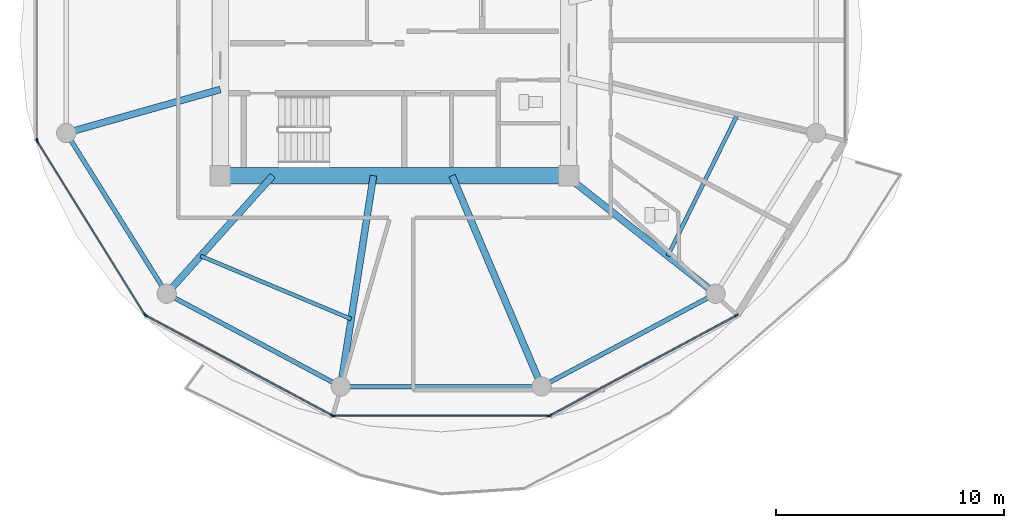
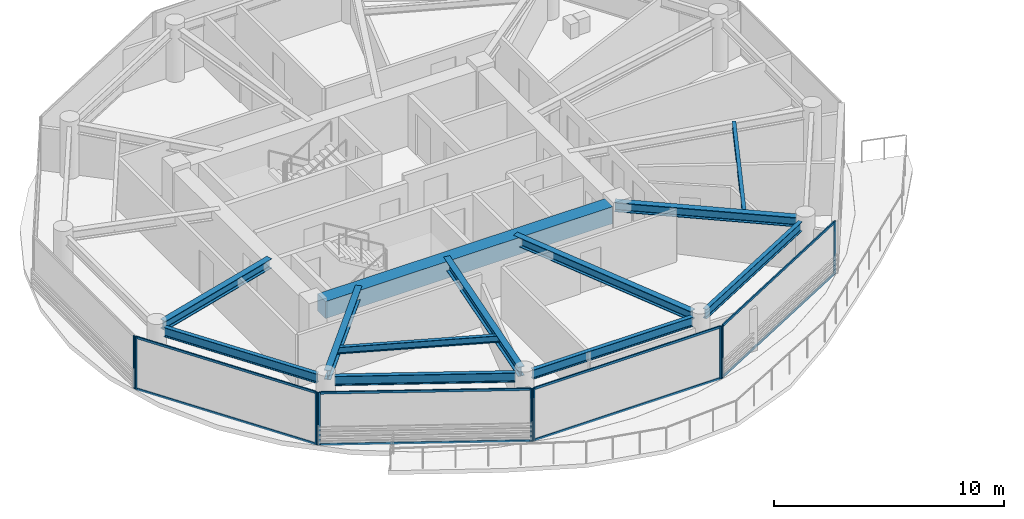
# One storey, part 2 of 24: 17 members, 12 beams, 5 elements without a shape of their own.
"""IFC4 building model written with IfcOpenShell, lengths in metres."""

from ifc_helpers import new_model, si_unit, direction, frame, origin, origin_2d, place, context, subcontext, project, spatial, rectangle, i_section, extrude, source, transform, mapped, material, layer, layer_set, material_profile, profile_set, type_object, type_shapes, element, aggregate, save


model = new_model("IFC4")

# Units and contexts
model_context = context("Model", 3, precision=1e-05, world=origin(), true_north=direction((0.0, 1.0)))
body_context = subcontext(model_context, "Body", "Model", "MODEL_VIEW")
ifc_project = project(units=[si_unit("LENGTHUNIT", "METRE"), si_unit("AREAUNIT", "SQUARE_METRE"), si_unit("VOLUMEUNIT", "CUBIC_METRE"), si_unit("PLANEANGLEUNIT", "RADIAN"), si_unit("MASSUNIT", "GRAM", prefix="KILO")], contexts=[model_context])

# Site, building, storey
site_placement = place(None, origin())
site = spatial("IfcSite", under=ifc_project, at=site_placement, CompositionType="ELEMENT")
building_placement = place(site_placement, origin())
building = spatial("IfcBuilding", under=site, at=building_placement, Name="Norrkilde Senior Care Towers", CompositionType="ELEMENT")
storey_placement = place(building_placement, frame((0.0, 0.0, 114.550048828125)))
storey = spatial("IfcBuildingStorey", under=building, at=storey_placement, Name="L35", CompositionType="ELEMENT", Elevation=114.550048828125)

# Beams
ifc_material_1 = material(Name="Concrete C60/75", Category="concrete")
ifc_material_profile_1 = material_profile(ifc_material_1, rectangle(XDim=0.699951171875, YDim=0.89990234375, at=origin_2d()), Name="RC BM 700x900")
ifc_profile_set_1 = profile_set([ifc_material_profile_1], Name="Concrete C60/75")
beam_type_1 = type_object("IfcBeamType", Name="Core Coupling Girder 700x900", PredefinedType="USERDEFINED", material=ifc_profile_set_1)
shared_shape_1 = source(origin(), body_context, "Body", "SweptSolid", [
    extrude(rectangle(XDim=0.699951171875, YDim=0.89990234375, at=origin_2d()), origin(), (0.0, 0.0, 1.0), 14.43994140625),
])
type_shapes(beam_type_1, [shared_shape_1])
beam_1_placement = place(storey_placement, frame((-35.219970703125, -5.949951171875, 2.33984375), z_axis=(1.0, 0.0, 0.0), x_axis=(0.0, 1.0, 0.0)))
element("IfcBeam", 1, at=beam_1_placement, inside=storey, type_object=beam_type_1, Name="L35 Core W S Coupling Girder", ObjectType="GIRDER", PredefinedType="USERDEFINED", context=body_context, shape_type="MappedRepresentation", body=[
    mapped(shared_shape_1, transform((0.0, 0.0, 0.0), x_axis=(1.0, 0.0, 0.0), y_axis=(0.0, 1.0, 0.0), z_axis=(0.0, 0.0, 1.0), scale=1.0)),
])
ifc_material_2 = material(Name="Steel S355", Category="steel")
ifc_material_profile_2 = material_profile(ifc_material_2, i_section(OverallWidth=0.199951171875, OverallDepth=0.5, WebThickness=0.01025390625, FlangeThickness=0.01611328125, FilletRadius=0.02099609375, at=origin_2d()), Name="IPE 500")
ifc_profile_set_2 = profile_set([ifc_material_profile_2], Name="Steel S355")
beam_type_2 = type_object("IfcBeamType", Name="Perimeter Ring Spandrel Z2 IPE500", PredefinedType="SPANDREL", material=ifc_profile_set_2)
shared_shape_2 = source(origin(), body_context, "Body", "SweptSolid", [
    extrude(i_section(OverallWidth=0.199951171875, OverallDepth=0.5, WebThickness=0.01025390625, FlangeThickness=0.01611328125, FilletRadius=0.02099609375, at=origin_2d()), origin(), (0.0, 0.0, 1.0), 7.892333984375),
])
for number, where, z_axis, x_axis, name in (
    (2, (-37.66650390625, -11.318115234375, 2.5400390625), (0.882350372282, -0.47059305194, 0.0), (0.47059305194, 0.882350372282, 0.0), "L35 Drum W Perimeter Spandrel 08"),
    (3, (-21.197509765625, -15.0322265625, 2.5400390625), (0.882350372282, 0.47059305194, 0.0), (-0.47059305194, 0.882350372282, 0.0), "L35 Drum W Perimeter Spandrel 10"),
):
    element("IfcBeam", number, at=place(storey_placement, frame(where, z_axis=z_axis, x_axis=x_axis)), inside=storey, type_object=beam_type_2, Name=name, PredefinedType="SPANDREL", context=body_context, shape_type="MappedRepresentation", body=[
        mapped(shared_shape_2, transform((0.0, 0.0, 0.0), x_axis=(1.0, 0.0, 0.0), y_axis=(0.0, 1.0, 0.0), z_axis=(0.0, 0.0, 1.0), scale=1.0)),
    ])
ifc_material_profile_3 = material_profile(ifc_material_2, i_section(OverallWidth=0.300048828125, OverallDepth=0.5, WebThickness=0.014404296875, FlangeThickness=0.028076171875, FilletRadius=0.027099609375, at=origin_2d()), Name="HEB 500")
ifc_profile_set_3 = profile_set([ifc_material_profile_3], Name="Steel S355")
beam_type_3 = type_object("IfcBeamType", Name="Radial Floor Beam Z2 HEB500", PredefinedType="BEAM", material=ifc_profile_set_3)
shared_shape_3 = source(origin(), body_context, "Body", "SweptSolid", [
    extrude(i_section(OverallWidth=0.300048828125, OverallDepth=0.5, WebThickness=0.014404296875, FlangeThickness=0.028076171875, FilletRadius=0.027099609375, at=origin_2d()), origin(), (0.0, 0.0, 1.0), 7.985595703125),
])
beam_2_placement = place(storey_placement, frame((-20.463623046875, -5.949951171875, 2.5400390625), z_axis=(0.784858505144, -0.619675017169, 0.0), x_axis=(0.619675017169, 0.784858505144, 0.0)))
element("IfcBeam", 4, at=beam_2_placement, inside=storey, type_object=beam_type_3, Name="L35 Drum W Radial Floor Beam 11", PredefinedType="BEAM", context=body_context, shape_type="MappedRepresentation", body=[
    mapped(shared_shape_3, transform((0.0, 0.0, 0.0), x_axis=(1.0, 0.0, 0.0), y_axis=(0.0, 1.0, 0.0), z_axis=(0.0, 0.0, 1.0), scale=1.0)),
])
shared_shape_4 = source(origin(), body_context, "Body", "SweptSolid", [
    extrude(i_section(OverallWidth=0.199951171875, OverallDepth=0.5, WebThickness=0.01025390625, FlangeThickness=0.01611328125, FilletRadius=0.02099609375, at=origin_2d()), origin(), (0.0, 0.0, 1.0), 8.0556640625),
])
beam_3_placement = place(storey_placement, frame((-29.977783203125, -15.21337890625, 2.5400390625), z_axis=(1.0, 0.0, 0.0), x_axis=(0.0, 1.0, 0.0)))
element("IfcBeam", 5, at=beam_3_placement, inside=storey, type_object=beam_type_2, Name="L35 Drum W Perimeter Spandrel 09", PredefinedType="SPANDREL", context=body_context, shape_type="MappedRepresentation", body=[
    mapped(shared_shape_4, transform((0.0, 0.0, 0.0), x_axis=(1.0, 0.0, 0.0), y_axis=(0.0, 1.0, 0.0), z_axis=(0.0, 0.0, 1.0), scale=1.0)),
])
shared_shape_5 = source(origin(), body_context, "Body", "SweptSolid", [
    extrude(i_section(OverallWidth=0.300048828125, OverallDepth=0.5, WebThickness=0.014404296875, FlangeThickness=0.028076171875, FilletRadius=0.027099609375, at=origin_2d()), origin(), (0.0, 0.0, 1.0), 9.679443359375),
])
beam_4_placement = place(storey_placement, frame((-25.472412109375, -5.949951171875, 2.5400390625), z_axis=(0.390998033479, -0.920391513333, 0.0), x_axis=(0.920391513333, 0.390998033479, 0.0)))
element("IfcBeam", 6, at=beam_4_placement, inside=storey, type_object=beam_type_3, Name="L35 Drum W Radial Floor Beam 10", PredefinedType="BEAM", context=body_context, shape_type="MappedRepresentation", body=[
    mapped(shared_shape_5, transform((0.0, 0.0, 0.0), x_axis=(1.0, 0.0, 0.0), y_axis=(0.0, 1.0, 0.0), z_axis=(0.0, 0.0, 1.0), scale=1.0)),
])
shared_shape_6 = source(origin(), body_context, "Body", "SweptSolid", [
    extrude(i_section(OverallWidth=0.300048828125, OverallDepth=0.5, WebThickness=0.014404296875, FlangeThickness=0.028076171875, FilletRadius=0.027099609375, at=origin_2d()), origin(), (0.0, 0.0, 1.0), 8.989501953125),
])
beam_5_placement = place(storey_placement, frame((-28.924072265625, -5.949951171875, 2.5400390625), z_axis=(-0.153471298636, -0.988153105796, 0.0), x_axis=(0.988153105796, -0.153471298636, 0.0)))
element("IfcBeam", 7, at=beam_5_placement, inside=storey, type_object=beam_type_3, Name="L35 Drum W Radial Floor Beam 09", PredefinedType="BEAM", context=body_context, shape_type="MappedRepresentation", body=[
    mapped(shared_shape_6, transform((0.0, 0.0, 0.0), x_axis=(1.0, 0.0, 0.0), y_axis=(0.0, 1.0, 0.0), z_axis=(0.0, 0.0, 1.0), scale=1.0)),
])
shared_shape_7 = source(origin(), body_context, "Body", "SweptSolid", [
    extrude(i_section(OverallWidth=0.199951171875, OverallDepth=0.5, WebThickness=0.01025390625, FlangeThickness=0.01611328125, FilletRadius=0.02099609375, at=origin_2d()), origin(), (0.0, 0.0, 1.0), 7.556396484375),
])
type_shapes(beam_type_2, [shared_shape_2, shared_shape_4, shared_shape_7])
beam_6_placement = place(storey_placement, frame((-42.215087890625, -4.40283203125, 2.5400390625), z_axis=(0.530004748437, -0.847994673706, 0.0), x_axis=(0.847994673706, 0.530004748437, 0.0)))
element("IfcBeam", 8, at=beam_6_placement, inside=storey, type_object=beam_type_2, Name="L35 Drum W Perimeter Spandrel 07", PredefinedType="SPANDREL", context=body_context, shape_type="MappedRepresentation", body=[
    mapped(shared_shape_7, transform((0.0, 0.0, 0.0), x_axis=(1.0, 0.0, 0.0), y_axis=(0.0, 1.0, 0.0), z_axis=(0.0, 0.0, 1.0), scale=1.0)),
])
shared_shape_8 = source(origin(), body_context, "Body", "SweptSolid", [
    extrude(i_section(OverallWidth=0.300048828125, OverallDepth=0.5, WebThickness=0.014404296875, FlangeThickness=0.028076171875, FilletRadius=0.027099609375, at=origin_2d()), origin(), (0.0, 0.0, 1.0), 6.587890625),
])
beam_7_placement = place(storey_placement, frame((-33.345947265625, -5.949951171875, 2.5400390625), z_axis=(-0.668315438605, -0.743877997068, 0.0), x_axis=(0.743877997068, -0.668315438605, 0.0)))
element("IfcBeam", 9, at=beam_7_placement, inside=storey, type_object=beam_type_3, Name="L35 Drum W Radial Floor Beam 08", PredefinedType="BEAM", context=body_context, shape_type="MappedRepresentation", body=[
    mapped(shared_shape_8, transform((0.0, 0.0, 0.0), x_axis=(1.0, 0.0, 0.0), y_axis=(0.0, 1.0, 0.0), z_axis=(0.0, 0.0, 1.0), scale=1.0)),
])
shared_shape_9 = source(origin(), body_context, "Body", "SweptSolid", [
    extrude(i_section(OverallWidth=0.300048828125, OverallDepth=0.5, WebThickness=0.014404296875, FlangeThickness=0.028076171875, FilletRadius=0.027099609375, at=origin_2d()), origin(), (0.0, 0.0, 1.0), 6.6494140625),
])
type_shapes(beam_type_3, [shared_shape_3, shared_shape_5, shared_shape_6, shared_shape_8, shared_shape_9])
beam_8_placement = place(storey_placement, frame((-35.64990234375, -2.162841796875, 2.5400390625), z_axis=(-0.962289138357, -0.27202870106, 0.0), x_axis=(0.27202870106, -0.962289138357, 0.0)))
element("IfcBeam", 10, at=beam_8_placement, inside=storey, type_object=beam_type_3, Name="L35 Drum W Radial Floor Beam 07", PredefinedType="BEAM", context=body_context, shape_type="MappedRepresentation", body=[
    mapped(shared_shape_9, transform((0.0, 0.0, 0.0), x_axis=(1.0, 0.0, 0.0), y_axis=(0.0, 1.0, 0.0), z_axis=(0.0, 0.0, 1.0), scale=1.0)),
])
ifc_material_profile_4 = material_profile(ifc_material_2, i_section(OverallWidth=0.169921875, OverallDepth=0.360107421875, WebThickness=0.008056640625, FlangeThickness=0.0126953125, FilletRadius=0.01806640625, at=origin_2d()), Name="IPE 360")
ifc_profile_set_4 = profile_set([ifc_material_profile_4], Name="Steel S355")
beam_type_4 = type_object("IfcBeamType", Name="Secondary Floor Joist IPE360", PredefinedType="JOIST", material=ifc_profile_set_4)
shared_shape_10 = source(origin(), body_context, "Body", "SweptSolid", [
    extrude(i_section(OverallWidth=0.169921875, OverallDepth=0.360107421875, WebThickness=0.008056640625, FlangeThickness=0.0126953125, FilletRadius=0.01806640625, at=origin_2d()), origin(), (0.0, 0.0, 1.0), 7.169921875),
])
beam_9_placement = place(storey_placement, frame((-36.514892578125, -9.47705078125, 2.60986328125), z_axis=(0.922240600393, -0.386616444279, 0.0), x_axis=(0.386616444279, 0.922240600393, 0.0)))
element("IfcBeam", 11, at=beam_9_placement, inside=storey, type_object=beam_type_4, Name="L35 Drum W Secondary Floor Joist 3", PredefinedType="JOIST", context=body_context, shape_type="MappedRepresentation", body=[
    mapped(shared_shape_10, transform((0.0, 0.0, 0.0), x_axis=(1.0, 0.0, 0.0), y_axis=(0.0, 1.0, 0.0), z_axis=(0.0, 0.0, 1.0), scale=1.0)),
])
shared_shape_11 = source(origin(), body_context, "Body", "SweptSolid", [
    extrude(i_section(OverallWidth=0.169921875, OverallDepth=0.360107421875, WebThickness=0.008056640625, FlangeThickness=0.0126953125, FilletRadius=0.01806640625, at=origin_2d()), origin(), (0.0, 0.0, 1.0), 6.87353515625),
])
type_shapes(beam_type_4, [shared_shape_10, shared_shape_11])
beam_10_placement = place(storey_placement, frame((-15.99609375, -9.47705078125, 2.60986328125), z_axis=(0.44184939592, 0.897089243791, 0.0), x_axis=(-0.897089243791, 0.44184939592, 0.0)))
element("IfcBeam", 12, at=beam_10_placement, inside=storey, type_object=beam_type_4, Name="L35 Drum W Secondary Floor Joist 4", PredefinedType="JOIST", context=body_context, shape_type="MappedRepresentation", body=[
    mapped(shared_shape_11, transform((0.0, 0.0, 0.0), x_axis=(1.0, 0.0, 0.0), y_axis=(0.0, 1.0, 0.0), z_axis=(0.0, 0.0, 1.0), scale=1.0)),
])

# Curtain wall, member
ifc_material_3 = material(Name="Triple Low-E Insulated Glazing", Category="glass")
ifc_layer = layer(ifc_material_3, 0.195068359375)
ifc_layer_set = layer_set([ifc_layer], Name="Triple Low-E Insulated Glazing")
curtain_wall_type = type_object("IfcCurtainWallType", Name="CW3 Zone 2 Assisted Living Curtain Wall", PredefinedType="NOTDEFINED", material=ifc_layer_set)
curtain_wall_1_placement = place(storey_placement, origin())
curtain_wall_1 = element("IfcCurtainWall", 13, at=curtain_wall_1_placement, inside=storey, type_object=curtain_wall_type, Name="L35 Drum W Curtain Wall 05", PredefinedType="NOTDEFINED")
ifc_material_4 = material(Name="Anodised Aluminium", Category="aluminium")
ifc_material_profile_5 = material_profile(ifc_material_4, rectangle(XDim=0.06494140625, YDim=0.159912109375, at=origin_2d()), Name="ALU MULL 65x160")
ifc_profile_set_5 = profile_set([ifc_material_profile_5], Name="Anodised Aluminium")
member_type_1 = type_object("IfcMemberType", Name="Curtain Wall Mullion Z1-Z2 65x160", PredefinedType="MULLION", material=ifc_profile_set_5)
shared_shape_12 = source(origin(), body_context, "Body", "SweptSolid", [
    extrude(rectangle(XDim=0.06494140625, YDim=0.159912109375, at=origin_2d()), origin(), (0.0, 0.0, 1.0), 2.7900390625),
])
type_shapes(member_type_1, [shared_shape_12])
member_1_placement = place(storey_placement, frame((-43.70361328125, -4.38818359375, 0.0), z_axis=(0.0, 0.0, 1.0), x_axis=(-1.0, 0.0, 0.0)))
member_1 = element("IfcMember", 14, at=member_1_placement, type_object=member_type_1, Name="CW-3 mullion 1", PredefinedType="MULLION", context=body_context, shape_type="MappedRepresentation", body=[
    mapped(shared_shape_12, transform((0.0, 0.0, 0.0), x_axis=(1.0, 0.0, 0.0), y_axis=(0.0, 1.0, 0.0), z_axis=(0.0, 0.0, 1.0), scale=1.0)),
])
aggregate(curtain_wall_1, [member_1])

# Curtain wall, members
curtain_wall_2_placement = place(storey_placement, origin())
curtain_wall_2 = element("IfcCurtainWall", 15, at=curtain_wall_2_placement, inside=storey, type_object=curtain_wall_type, Name="L35 Drum W Curtain Wall 06", PredefinedType="NOTDEFINED")
member_2_placement = place(storey_placement, frame((-38.9638671875, -12.0498046875, 0.0), z_axis=(0.0, 0.0, 1.0), x_axis=(-0.849410171862, -0.527733228002, 0.0)))
member_2 = element("IfcMember", 16, at=member_2_placement, type_object=member_type_1, Name="CW-3 mullion 1", PredefinedType="MULLION", context=body_context, shape_type="MappedRepresentation", body=[
    mapped(shared_shape_12, transform((0.0, 0.0, 0.0), x_axis=(1.0, 0.0, 0.0), y_axis=(0.0, 1.0, 0.0), z_axis=(0.0, 0.0, 1.0), scale=1.0)),
])
member_3_placement = place(storey_placement, frame((-43.6865234375, -4.4482421875, 0.0), z_axis=(0.0, 0.0, 1.0), x_axis=(-0.849410171862, -0.527733228002, 0.0)))
member_3 = element("IfcMember", 17, at=member_3_placement, type_object=member_type_1, Name="CW-3 mullion 2", PredefinedType="MULLION", context=body_context, shape_type="MappedRepresentation", body=[
    mapped(shared_shape_12, transform((0.0, 0.0, 0.0), x_axis=(1.0, 0.0, 0.0), y_axis=(0.0, 1.0, 0.0), z_axis=(0.0, 0.0, 1.0), scale=1.0)),
])

curtain_wall_3_placement = place(storey_placement, origin())
curtain_wall_3 = element("IfcCurtainWall", 18, at=curtain_wall_3_placement, inside=storey, type_object=curtain_wall_type, Name="L35 Drum W Curtain Wall 07", PredefinedType="NOTDEFINED")
member_4_placement = place(storey_placement, frame((-30.73583984375, -16.482666015625, 0.0), z_axis=(0.0, 0.0, 1.0), x_axis=(-0.472769402511, -0.881186184668, 0.0)))
member_4 = element("IfcMember", 19, at=member_4_placement, type_object=member_type_1, Name="CW-3 mullion 1", PredefinedType="MULLION", context=body_context, shape_type="MappedRepresentation", body=[
    mapped(shared_shape_12, transform((0.0, 0.0, 0.0), x_axis=(1.0, 0.0, 0.0), y_axis=(0.0, 1.0, 0.0), z_axis=(0.0, 0.0, 1.0), scale=1.0)),
])
member_5_placement = place(storey_placement, frame((-38.91796875, -12.0927734375, 0.0), z_axis=(0.0, 0.0, 1.0), x_axis=(-0.472769402511, -0.881186184668, 0.0)))
member_5 = element("IfcMember", 20, at=member_5_placement, type_object=member_type_1, Name="CW-3 mullion 2", PredefinedType="MULLION", context=body_context, shape_type="MappedRepresentation", body=[
    mapped(shared_shape_12, transform((0.0, 0.0, 0.0), x_axis=(1.0, 0.0, 0.0), y_axis=(0.0, 1.0, 0.0), z_axis=(0.0, 0.0, 1.0), scale=1.0)),
])

curtain_wall_4_placement = place(storey_placement, origin())
curtain_wall_4 = element("IfcCurtainWall", 21, at=curtain_wall_4_placement, inside=storey, type_object=curtain_wall_type, Name="L35 Drum W Curtain Wall 08", PredefinedType="NOTDEFINED")
member_6_placement = place(storey_placement, frame((-21.225341796875, -16.498046875, 0.0), z_axis=(0.0, 0.0, 1.0), x_axis=(0.0, -1.0, 0.0)))
member_6 = element("IfcMember", 22, at=member_6_placement, type_object=member_type_1, Name="CW-3 mullion 1", PredefinedType="MULLION", context=body_context, shape_type="MappedRepresentation", body=[
    mapped(shared_shape_12, transform((0.0, 0.0, 0.0), x_axis=(1.0, 0.0, 0.0), y_axis=(0.0, 1.0, 0.0), z_axis=(0.0, 0.0, 1.0), scale=1.0)),
])
member_7_placement = place(storey_placement, frame((-30.674560546875, -16.498046875, 0.0), z_axis=(0.0, 0.0, 1.0), x_axis=(0.0, -1.0, 0.0)))
member_7 = element("IfcMember", 23, at=member_7_placement, type_object=member_type_1, Name="CW-3 mullion 2", PredefinedType="MULLION", context=body_context, shape_type="MappedRepresentation", body=[
    mapped(shared_shape_12, transform((0.0, 0.0, 0.0), x_axis=(1.0, 0.0, 0.0), y_axis=(0.0, 1.0, 0.0), z_axis=(0.0, 0.0, 1.0), scale=1.0)),
])

curtain_wall_5_placement = place(storey_placement, origin())
curtain_wall_5 = element("IfcCurtainWall", 24, at=curtain_wall_5_placement, inside=storey, type_object=curtain_wall_type, Name="L35 Drum W Curtain Wall 09", PredefinedType="NOTDEFINED")
member_8_placement = place(storey_placement, frame((-12.98193359375, -12.0927734375, 0.0), z_axis=(0.0, 0.0, 1.0), x_axis=(0.472769402511, -0.881186184668, 0.0)))
member_8 = element("IfcMember", 25, at=member_8_placement, type_object=member_type_1, Name="CW-3 mullion 1", PredefinedType="MULLION", context=body_context, shape_type="MappedRepresentation", body=[
    mapped(shared_shape_12, transform((0.0, 0.0, 0.0), x_axis=(1.0, 0.0, 0.0), y_axis=(0.0, 1.0, 0.0), z_axis=(0.0, 0.0, 1.0), scale=1.0)),
])
member_9_placement = place(storey_placement, frame((-21.164306640625, -16.482666015625, 0.0), z_axis=(0.0, 0.0, 1.0), x_axis=(0.472769402511, -0.881186184668, 0.0)))
member_9 = element("IfcMember", 26, at=member_9_placement, type_object=member_type_1, Name="CW-3 mullion 2", PredefinedType="MULLION", context=body_context, shape_type="MappedRepresentation", body=[
    mapped(shared_shape_12, transform((0.0, 0.0, 0.0), x_axis=(1.0, 0.0, 0.0), y_axis=(0.0, 1.0, 0.0), z_axis=(0.0, 0.0, 1.0), scale=1.0)),
])

# Member
ifc_material_profile_6 = material_profile(ifc_material_4, rectangle(XDim=0.06005859375, YDim=0.1201171875, at=origin_2d()), Name="ALU TRAN 60x120")
ifc_profile_set_6 = profile_set([ifc_material_profile_6], Name="Anodised Aluminium")
member_type_2 = type_object("IfcMemberType", Name="Curtain Wall Transom Typical 60x120", PredefinedType="USERDEFINED", material=ifc_profile_set_6)
shared_shape_13 = source(origin(), body_context, "Body", "SweptSolid", [
    extrude(rectangle(XDim=0.06005859375, YDim=0.1201171875, at=origin_2d()), origin(), (0.0, 0.0, 1.0), 8.88427734375),
])
member_10_placement = place(storey_placement, frame((-38.98095703125, -12.022216796875, 0.030029296875), z_axis=(-0.527729466743, 0.849412508697, 0.0), x_axis=(-0.849412508697, -0.527729466743, 0.0)))
member_10 = element("IfcMember", 27, at=member_10_placement, type_object=member_type_2, Name="CW-3 transom 1.1", ObjectType="TRANSOM", PredefinedType="USERDEFINED", context=body_context, shape_type="MappedRepresentation", body=[
    mapped(shared_shape_13, transform((0.0, 0.0, 0.0), x_axis=(1.0, 0.0, 0.0), y_axis=(0.0, 1.0, 0.0), z_axis=(0.0, 0.0, 1.0), scale=1.0)),
])

member_11_placement = place(storey_placement, frame((-38.98095703125, -12.022216796875, 2.760009765625), z_axis=(-0.527729466743, 0.849412508697, 0.0), x_axis=(-0.849412508697, -0.527729466743, 0.0)))
member_11 = element("IfcMember", 28, at=member_11_placement, type_object=member_type_2, Name="CW-3 transom 1.2", ObjectType="TRANSOM", PredefinedType="USERDEFINED", context=body_context, shape_type="MappedRepresentation", body=[
    mapped(shared_shape_13, transform((0.0, 0.0, 0.0), x_axis=(1.0, 0.0, 0.0), y_axis=(0.0, 1.0, 0.0), z_axis=(0.0, 0.0, 1.0), scale=1.0)),
])

aggregate(curtain_wall_2, [member_2, member_3, member_10, member_11])

shared_shape_14 = source(origin(), body_context, "Body", "SweptSolid", [
    extrude(rectangle(XDim=0.06005859375, YDim=0.1201171875, at=origin_2d()), origin(), (0.0, 0.0, 1.0), 9.220458984375),
])
member_12_placement = place(storey_placement, frame((-30.764404296875, -16.46728515625, 0.030029296875), z_axis=(-0.881188517866, 0.472765053681, 0.0), x_axis=(-0.472765053681, -0.881188517866, 0.0)))
member_12 = element("IfcMember", 29, at=member_12_placement, type_object=member_type_2, Name="CW-3 transom 1.1", ObjectType="TRANSOM", PredefinedType="USERDEFINED", context=body_context, shape_type="MappedRepresentation", body=[
    mapped(shared_shape_14, transform((0.0, 0.0, 0.0), x_axis=(1.0, 0.0, 0.0), y_axis=(0.0, 1.0, 0.0), z_axis=(0.0, 0.0, 1.0), scale=1.0)),
])

member_13_placement = place(storey_placement, frame((-30.764404296875, -16.46728515625, 2.760009765625), z_axis=(-0.881188517866, 0.472765053681, 0.0), x_axis=(-0.472765053681, -0.881188517866, 0.0)))
member_13 = element("IfcMember", 30, at=member_13_placement, type_object=member_type_2, Name="CW-3 transom 1.2", ObjectType="TRANSOM", PredefinedType="USERDEFINED", context=body_context, shape_type="MappedRepresentation", body=[
    mapped(shared_shape_14, transform((0.0, 0.0, 0.0), x_axis=(1.0, 0.0, 0.0), y_axis=(0.0, 1.0, 0.0), z_axis=(0.0, 0.0, 1.0), scale=1.0)),
])

aggregate(curtain_wall_3, [member_4, member_5, member_12, member_13])

member_14_placement = place(storey_placement, frame((-13.0107421875, -12.108154296875, 0.030029296875), z_axis=(-0.881188517866, -0.472765053681, 0.0), x_axis=(0.472765053681, -0.881188517866, 0.0)))
member_14 = element("IfcMember", 31, at=member_14_placement, type_object=member_type_2, Name="CW-3 transom 1.1", ObjectType="TRANSOM", PredefinedType="USERDEFINED", context=body_context, shape_type="MappedRepresentation", body=[
    mapped(shared_shape_14, transform((0.0, 0.0, 0.0), x_axis=(1.0, 0.0, 0.0), y_axis=(0.0, 1.0, 0.0), z_axis=(0.0, 0.0, 1.0), scale=1.0)),
])

member_15_placement = place(storey_placement, frame((-13.0107421875, -12.108154296875, 2.760009765625), z_axis=(-0.881188517866, -0.472765053681, 0.0), x_axis=(0.472765053681, -0.881188517866, 0.0)))
member_15 = element("IfcMember", 32, at=member_15_placement, type_object=member_type_2, Name="CW-3 transom 1.2", ObjectType="TRANSOM", PredefinedType="USERDEFINED", context=body_context, shape_type="MappedRepresentation", body=[
    mapped(shared_shape_14, transform((0.0, 0.0, 0.0), x_axis=(1.0, 0.0, 0.0), y_axis=(0.0, 1.0, 0.0), z_axis=(0.0, 0.0, 1.0), scale=1.0)),
])

aggregate(curtain_wall_5, [member_8, member_9, member_14, member_15])

shared_shape_15 = source(origin(), body_context, "Body", "SweptSolid", [
    extrude(rectangle(XDim=0.06005859375, YDim=0.1201171875, at=origin_2d()), origin(), (0.0, 0.0, 1.0), 9.38427734375),
])
type_shapes(member_type_2, [shared_shape_13, shared_shape_14, shared_shape_15])
member_16_placement = place(storey_placement, frame((-21.2578125, -16.498046875, 0.030029296875), z_axis=(-1.0, 0.0, 0.0), x_axis=(0.0, -1.0, 0.0)))
member_16 = element("IfcMember", 33, at=member_16_placement, type_object=member_type_2, Name="CW-3 transom 1.1", ObjectType="TRANSOM", PredefinedType="USERDEFINED", context=body_context, shape_type="MappedRepresentation", body=[
    mapped(shared_shape_15, transform((0.0, 0.0, 0.0), x_axis=(1.0, 0.0, 0.0), y_axis=(0.0, 1.0, 0.0), z_axis=(0.0, 0.0, 1.0), scale=1.0)),
])

member_17_placement = place(storey_placement, frame((-21.2578125, -16.498046875, 2.760009765625), z_axis=(-1.0, 0.0, 0.0), x_axis=(0.0, -1.0, 0.0)))
member_17 = element("IfcMember", 34, at=member_17_placement, type_object=member_type_2, Name="CW-3 transom 1.2", ObjectType="TRANSOM", PredefinedType="USERDEFINED", context=body_context, shape_type="MappedRepresentation", body=[
    mapped(shared_shape_15, transform((0.0, 0.0, 0.0), x_axis=(1.0, 0.0, 0.0), y_axis=(0.0, 1.0, 0.0), z_axis=(0.0, 0.0, 1.0), scale=1.0)),
])

aggregate(curtain_wall_4, [member_6, member_7, member_16, member_17])

save(model, "model.ifc")
